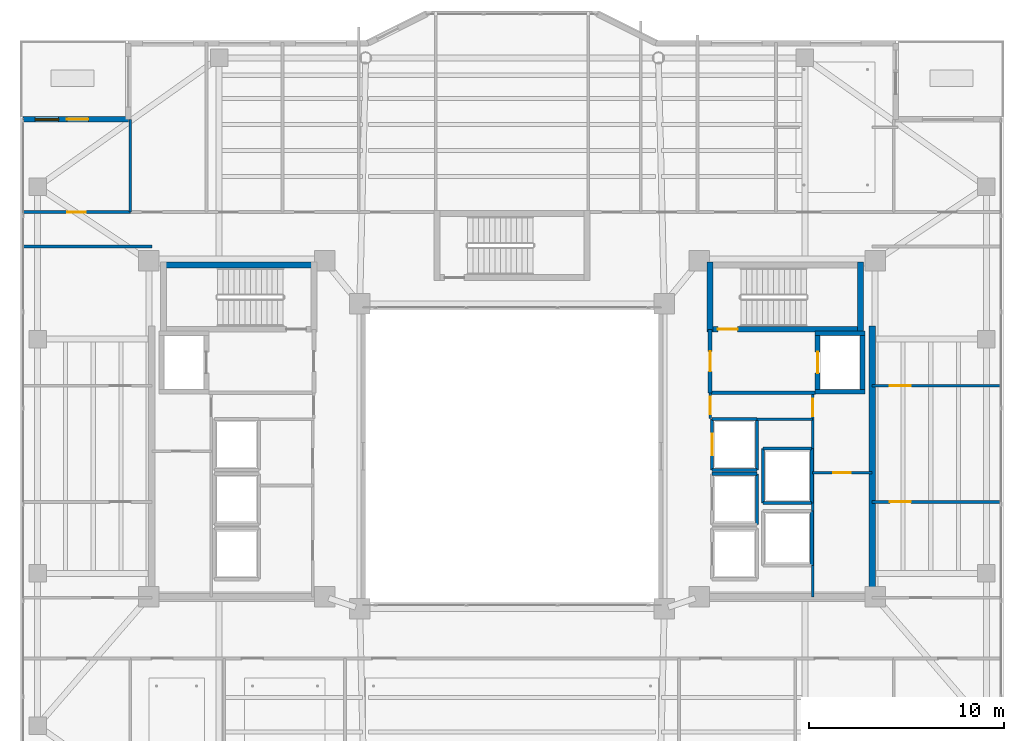
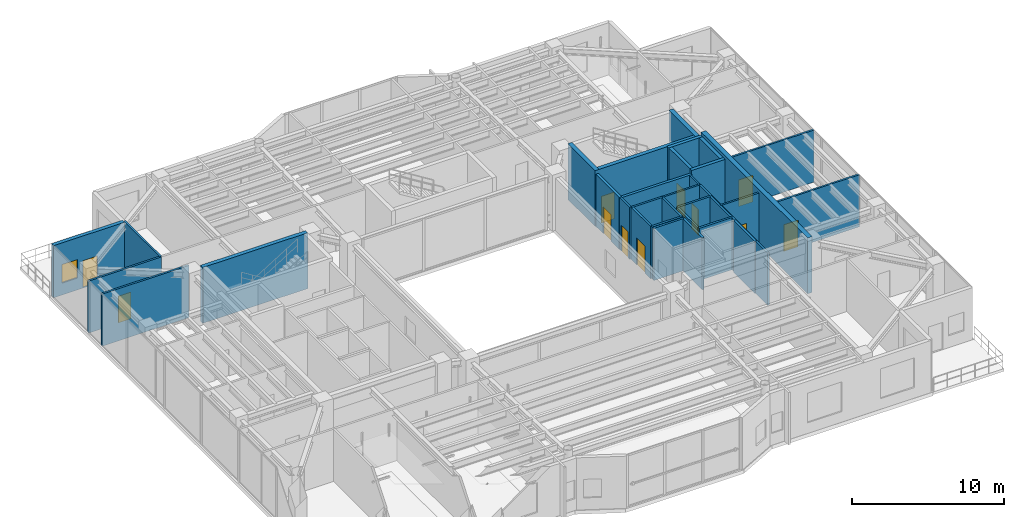
# One storey, part 25 of 33: 32 walls, 11 doors, 1 window, 12 openings.
"""IFC4 building model written with IfcOpenShell, lengths in metres."""

from ifc_helpers import new_model, si_unit, direction, frame, frame_2d, origin, place, context, subcontext, project, spatial, rectangle, extrude, material, layer, layer_set, type_object, element, fill, save


model = new_model("IFC4")

# Units and contexts
model_context = context("Model", 3, precision=1e-05, world=origin(), true_north=direction((0.0, 1.0)))
body_context = subcontext(model_context, "Body", "Model", "MODEL_VIEW")
ifc_project = project(units=[si_unit("LENGTHUNIT", "METRE"), si_unit("AREAUNIT", "SQUARE_METRE"), si_unit("VOLUMEUNIT", "CUBIC_METRE"), si_unit("PLANEANGLEUNIT", "RADIAN"), si_unit("MASSUNIT", "GRAM", prefix="KILO")], contexts=[model_context])

# Site, building, storey
site_placement = place(None, origin())
site = spatial("IfcSite", under=ifc_project, at=site_placement, CompositionType="ELEMENT")
building_placement = place(site_placement, origin())
building = spatial("IfcBuilding", under=site, at=building_placement, Name="Tarnavaz Court Tower", CompositionType="ELEMENT")
storey_placement = place(building_placement, frame((0.0, 0.0, 172.800048828125)))
storey = spatial("IfcBuildingStorey", under=building, at=storey_placement, Name="L47", CompositionType="ELEMENT", Elevation=172.800048828125)

# Wall, opening, door
ifc_material_1 = material(Name="Concrete C50/60", Category="concrete")
ifc_layer_1 = layer(ifc_material_1, 0.25)
ifc_layer_set_1 = layer_set([ifc_layer_1], Name="Concrete C50/60")
wall_type_1 = type_object("IfcWallType", Name="WL-CORE-250-C50", PredefinedType="SHEAR", material=ifc_layer_set_1)
wall_1_placement = place(storey_placement, frame((15.64990234375, 3.175048828125, 0.0), z_axis=(0.0, 0.0, 1.0), x_axis=(0.0, 1.0, 0.0)))
wall_1 = element("IfcWall", 1, at=wall_1_placement, inside=storey, type_object=wall_type_1, Name="L47 Lift FL-E1 Shaft Wall 033", PredefinedType="SHEAR", context=body_context, shape_type="SweptSolid", body=[
    extrude(rectangle(XDim=3.25, YDim=0.25, at=frame_2d((1.625, 0.0))), origin(), (0.0, 0.0, 1.0), 4.5),
])
opening_1_placement = place(wall_1_placement, frame((1.074951171875, 0.0, 0.0)))
opening_1 = element("IfcOpeningElement", 2, at=opening_1_placement, cuts=wall_1, Name="Opening LD1", PredefinedType="OPENING", context=body_context, shape_type="SweptSolid", body=[
    extrude(rectangle(XDim=1.10009765625, YDim=2.14990234375, at=frame_2d((0.550048828125, 1.074951171875))), frame((0.0, 0.135009765625, 0.0), z_axis=(0.0, -1.0, 0.0), x_axis=(1.0, 0.0, 0.0)), (0.0, 0.0, 1.0), 0.27001953125),
])
ifc_material_2 = material(Name="Stainless Steel", Category="steel")
door_type_1 = type_object("IfcDoorType", Name="DR-LD-1100", OperationType="NOTDEFINED", PredefinedType="DOOR", material=ifc_material_2)
door_1_placement = place(opening_1_placement, origin())
door_1 = element("IfcDoor", 3, at=door_1_placement, inside=storey, type_object=door_type_1, Name="L47 Lift Landing Door LD-FL-E1", OperationType="SLIDING_TO_LEFT", OverallHeight=2.14990234375, OverallWidth=1.10009765625, PredefinedType="DOOR", context=body_context, shape_type="SweptSolid", body=[
    extrude(rectangle(XDim=1.10009765625, YDim=2.14990234375, at=frame_2d((0.550048828125, 1.074951171875))), frame((0.0, 0.02490234375, 0.0), z_axis=(0.0, -1.0, 0.0), x_axis=(1.0, 0.0, 0.0)), (0.0, 0.0, 1.0), 0.050048828125),
])
fill(opening_1, door_1)

# Walls
wall_2_placement = place(storey_placement, frame((17.949951171875, 3.175048828125, 0.0), z_axis=(0.0, 0.0, 1.0), x_axis=(0.0, 1.0, 0.0)))
element("IfcWall", 4, at=wall_2_placement, inside=storey, type_object=wall_type_1, Name="L47 Lift FL-E1 Shaft Wall 034", PredefinedType="SHEAR", context=body_context, shape_type="SweptSolid", body=[
    extrude(rectangle(XDim=3.25, YDim=0.25, at=frame_2d((1.625, 0.0))), origin(), (0.0, 0.0, 1.0), 4.5),
])
for number, where, z_axis, x_axis, name in (
    (5, (15.52490234375, 3.300048828125, 0.0), (0.0, 0.0, 1.0), (1.0, 0.0, 0.0), "L47 Lift FL-E1 Shaft Wall 035"),
    (6, (15.52490234375, 6.300048828125, 0.0), (0.0, 0.0, 1.0), (1.0, 0.0, 0.0), "L47 Lift FL-E1 Shaft Wall 036"),
):
    element("IfcWall", number, at=place(storey_placement, frame(where, z_axis=z_axis, x_axis=x_axis)), inside=storey, type_object=wall_type_1, Name=name, PredefinedType="SHEAR", context=body_context, shape_type="SweptSolid", body=[
        extrude(rectangle(XDim=2.550048828125, YDim=0.25, at=frame_2d((1.27490234375, 0.0))), origin(), (0.0, 0.0, 1.0), 4.5),
    ])
ifc_layer_2 = layer(ifc_material_1, 0.300048828125)
ifc_layer_set_2 = layer_set([ifc_layer_2], Name="Concrete C50/60")
wall_type_2 = type_object("IfcWallType", Name="WL-CORE-300-C50", PredefinedType="SHEAR", material=ifc_layer_set_2)
wall_3_placement = place(storey_placement, frame((-18.0, 9.7900390625, 0.0), z_axis=(0.0, 0.0, 1.0), x_axis=(1.0, 0.0, 0.0)))
element("IfcWall", 7, at=wall_3_placement, inside=storey, type_object=wall_type_2, Name="L47 West Stair Core Wall 001", PredefinedType="SHEAR", context=body_context, shape_type="SweptSolid", body=[
    extrude(rectangle(XDim=8.0, YDim=0.300048828125, at=frame_2d((4.0, 0.0))), origin(), (0.0, 0.0, 1.0), 4.5),
])

# Wall, opening, door
wall_4_placement = place(storey_placement, frame((10.0, 6.5, 0.0), z_axis=(0.0, 0.0, 1.0), x_axis=(1.0, 0.0, 0.0)))
wall_4 = element("IfcWall", 8, at=wall_4_placement, inside=storey, type_object=wall_type_2, Name="L47 East Stair Core Wall 006", PredefinedType="SHEAR", context=body_context, shape_type="SweptSolid", body=[
    extrude(rectangle(XDim=8.0, YDim=0.300048828125, at=frame_2d((4.0, 0.0))), origin(), (0.0, 0.0, 1.0), 4.5),
])
opening_2_placement = place(wall_4_placement, frame((0.550048828125, 0.0, 0.0)))
opening_2 = element("IfcOpeningElement", 9, at=opening_2_placement, cuts=wall_4, Name="Opening D01", PredefinedType="OPENING", context=body_context, shape_type="SweptSolid", body=[
    extrude(rectangle(XDim=1.0, YDim=2.14990234375, at=frame_2d((0.5, 1.074951171875))), frame((0.0, 0.159912109375, 0.0), z_axis=(0.0, -1.0, 0.0), x_axis=(1.0, 0.0, 0.0)), (0.0, 0.0, 1.0), 0.320068359375),
])
ifc_material_3 = material(Name="Fire-Rated Hardwood Timber Core", Category="wood")
door_type_2 = type_object("IfcDoorType", Name="DR-FD90-1000", OperationType="NOTDEFINED", PredefinedType="DOOR", material=ifc_material_3)
door_2_placement = place(opening_2_placement, origin())
door_2 = element("IfcDoor", 10, at=door_2_placement, inside=storey, type_object=door_type_2, Name="L47 Stair ST-E1 Exit Door", OperationType="SINGLE_SWING_RIGHT", OverallHeight=2.14990234375, OverallWidth=1.0, PredefinedType="DOOR", context=body_context, shape_type="SweptSolid", body=[
    extrude(rectangle(XDim=1.0, YDim=2.14990234375, at=frame_2d((0.5, 1.074951171875))), frame((0.0, 0.02490234375, 0.0), z_axis=(0.0, -1.0, 0.0), x_axis=(1.0, 0.0, 0.0)), (0.0, 0.0, 1.0), 0.050048828125),
])
fill(opening_2, door_2)

# Walls
for number, where, z_axis, x_axis, name in (
    (11, (10.14990234375, 6.35009765625, 0.0), (0.0, 0.0, 1.0), (0.0, 1.0, 0.0), "L47 East Stair Core Wall 007"),
    (12, (17.85009765625, 6.35009765625, 0.0), (0.0, 0.0, 1.0), (0.0, 1.0, 0.0), "L47 East Stair Core Wall 008"),
):
    element("IfcWall", number, at=place(storey_placement, frame(where, z_axis=z_axis, x_axis=x_axis)), inside=storey, type_object=wall_type_2, Name=name, PredefinedType="SHEAR", context=body_context, shape_type="SweptSolid", body=[
        extrude(rectangle(XDim=3.58984375, YDim=0.300048828125, at=frame_2d((1.794921875, 0.0))), origin(), (0.0, 0.0, 1.0), 4.5),
    ])
ifc_layer_3 = layer(ifc_material_1, 0.35009765625)
ifc_layer_set_3 = layer_set([ifc_layer_3], Name="Concrete C50/60")
wall_type_3 = type_object("IfcWallType", Name="WL-CORE-350-C50", PredefinedType="SHEAR", material=ifc_layer_set_3)
wall_5_placement = place(storey_placement, frame((18.449951171875, -7.375, 0.0), z_axis=(0.0, 0.0, 1.0), x_axis=(0.0, 1.0, 0.0)))
element("IfcWall", 13, at=wall_5_placement, inside=storey, type_object=wall_type_3, Name="L47 East Core Shear Wall 059", PredefinedType="SHEAR", context=body_context, shape_type="SweptSolid", body=[
    extrude(rectangle(XDim=14.050048828125, YDim=0.35009765625, at=frame_2d((7.02490234375, 0.0))), origin(), (0.0, 0.0, 1.0), 4.5),
])

# Wall, openings, door, window
ifc_material_4 = material(Name="Precast Concrete C40/50", Category="concrete")
ifc_layer_4 = layer(ifc_material_4, 0.280029296875)
ifc_layer_set_4 = layer_set([ifc_layer_4], Name="Precast Concrete C40/50")
wall_type_4 = type_object("IfcWallType", Name="WL-EXT-280", PredefinedType="SOLIDWALL", material=ifc_layer_set_4)
wall_6_placement = place(storey_placement, frame((-25.050048828125, 17.25, 0.0), z_axis=(0.0, 0.0, 1.0), x_axis=(1.0, 0.0, 0.0)))
wall_6 = element("IfcWall", 14, at=wall_6_placement, inside=storey, type_object=wall_type_4, Name="L47 Exterior Terracotta Facade Wall 03", PredefinedType="SOLIDWALL", context=body_context, shape_type="SweptSolid", body=[
    extrude(rectangle(XDim=5.400146484375, YDim=0.280029296875, at=frame_2d((2.7001953125, 0.0))), origin(), (0.0, 0.0, 1.0), 4.199951171875),
])
opening_3_placement = place(wall_6_placement, frame((2.25, 0.0, 0.0)))
opening_3 = element("IfcOpeningElement", 15, at=opening_3_placement, cuts=wall_6, Name="Opening TD1", PredefinedType="OPENING", context=body_context, shape_type="SweptSolid", body=[
    extrude(rectangle(XDim=1.10009765625, YDim=2.199951171875, at=frame_2d((0.550048828125, 1.10009765625))), frame((0.0, 0.14990234375, 0.0), z_axis=(0.0, -1.0, 0.0), x_axis=(1.0, 0.0, 0.0)), (0.0, 0.0, 1.0), 0.300048828125),
])
opening_4_placement = place(wall_6_placement, frame((0.6298828125, 0.0, 0.949951171875)))
opening_4 = element("IfcOpeningElement", 16, at=opening_4_placement, cuts=wall_6, Name="Opening W05", PredefinedType="OPENING", context=body_context, shape_type="SweptSolid", body=[
    extrude(rectangle(XDim=1.199951171875, YDim=1.5, at=frame_2d((0.60009765625, 0.75))), frame((0.0, 0.14990234375, 0.0), z_axis=(0.0, -1.0, 0.0), x_axis=(1.0, 0.0, 0.0)), (0.0, 0.0, 1.0), 0.300048828125),
])
ifc_material_5 = material(Name="Thermally Broken Aluminium and Laminated Glass", Category="aluminium")
door_type_3 = type_object("IfcDoorType", Name="DR-TERR-1100", OperationType="NOTDEFINED", PredefinedType="DOOR", material=ifc_material_5)
door_3_placement = place(opening_3_placement, origin())
door_3 = element("IfcDoor", 17, at=door_3_placement, inside=storey, type_object=door_type_3, Name="L47 Sky Terrace Access Door 2", OperationType="SINGLE_SWING_RIGHT", OverallHeight=2.199951171875, OverallWidth=1.10009765625, PredefinedType="DOOR", context=body_context, shape_type="SweptSolid", body=[
    extrude(rectangle(XDim=1.10009765625, YDim=2.199951171875, at=frame_2d((0.550048828125, 1.10009765625))), frame((0.0, 0.02490234375, 0.0), z_axis=(0.0, -1.0, 0.0), x_axis=(1.0, 0.0, 0.0)), (0.0, 0.0, 1.0), 0.050048828125),
])
fill(opening_3, door_3)
ifc_material_6 = material(Name="Double-Glazed Solar Low-E Glass", Category="glass")
window_type = type_object("IfcWindowType", Name="WN-APT-1200", PartitioningType="SINGLE_PANEL", PredefinedType="WINDOW", material=ifc_material_6)
window_placement = place(opening_4_placement, origin())
window = element("IfcWindow", 18, at=window_placement, inside=storey, type_object=window_type, Name="L47 L47 NW Terrace Salon Window", OverallHeight=1.5, OverallWidth=1.199951171875, PartitioningType="SINGLE_PANEL", PredefinedType="WINDOW", context=body_context, shape_type="SweptSolid", body=[
    extrude(rectangle(XDim=1.199951171875, YDim=1.5, at=frame_2d((0.60009765625, 0.75))), frame((0.0, 0.030029296875, 0.0), z_axis=(0.0, -1.0, 0.0), x_axis=(1.0, 0.0, 0.0)), (0.0, 0.0, 1.0), 0.06005859375),
])
fill(opening_4, window)

# Wall
ifc_material_7 = material(Name="Gypsum Fire-Board on Acoustic Metal Stud", Category="masonry")
ifc_layer_5 = layer(ifc_material_7, 0.14990234375)
ifc_layer_set_5 = layer_set([ifc_layer_5], Name="Gypsum Fire-Board on Acoustic Metal Stud")
wall_type_5 = type_object("IfcWallType", Name="WL-FIRE-150", PredefinedType="PARTITIONING", material=ifc_layer_set_5)
wall_7_placement = place(storey_placement, frame((-25.080078125, 10.75, 0.0), z_axis=(0.0, 0.0, 1.0), x_axis=(1.0, 0.0, 0.0)))
element("IfcWall", 19, at=wall_7_placement, inside=storey, type_object=wall_type_5, Name="L47 Interior Partition 090", PredefinedType="PARTITIONING", context=body_context, shape_type="SweptSolid", body=[
    extrude(rectangle(XDim=6.630126953125, YDim=0.14990234375, at=frame_2d((3.31494140625, 0.0))), origin(), (0.0, 0.0, 1.0), 4.199951171875),
])

# Wall, opening, door
wall_8_placement = place(storey_placement, frame((-25.080078125, 12.5, 0.0), z_axis=(0.0, 0.0, 1.0), x_axis=(1.0, 0.0, 0.0)))
wall_8 = element("IfcWall", 20, at=wall_8_placement, inside=storey, type_object=wall_type_5, Name="L47 Interior Partition 096", PredefinedType="PARTITIONING", context=body_context, shape_type="SweptSolid", body=[
    extrude(rectangle(XDim=5.530029296875, YDim=0.14990234375, at=frame_2d((2.76513671875, 0.0))), origin(), (0.0, 0.0, 1.0), 4.199951171875),
])
opening_5_placement = place(wall_8_placement, frame((2.2900390625, 0.0, 0.0)))
opening_5 = element("IfcOpeningElement", 21, at=opening_5_placement, cuts=wall_8, Name="Opening D13", PredefinedType="OPENING", context=body_context, shape_type="SweptSolid", body=[
    extrude(rectangle(XDim=0.949951171875, YDim=2.14990234375, at=frame_2d((0.47509765625, 1.074951171875))), frame((0.0, 0.0849609375, 0.0), z_axis=(0.0, -1.0, 0.0), x_axis=(1.0, 0.0, 0.0)), (0.0, 0.0, 1.0), 0.169921875),
])
ifc_material_8 = material(Name="Engineered Oak Timber", Category="wood")
door_type_4 = type_object("IfcDoorType", Name="DR-INT-950", OperationType="NOTDEFINED", PredefinedType="DOOR", material=ifc_material_8)
door_4_placement = place(opening_5_placement, origin())
door_4 = element("IfcDoor", 22, at=door_4_placement, inside=storey, type_object=door_type_4, Name="L47 NW Terrace Salon Door", OperationType="SINGLE_SWING_RIGHT", OverallHeight=2.14990234375, OverallWidth=0.949951171875, PredefinedType="DOOR", context=body_context, shape_type="SweptSolid", body=[
    extrude(rectangle(XDim=0.949951171875, YDim=2.14990234375, at=frame_2d((0.47509765625, 1.074951171875))), frame((0.0, 0.02490234375, 0.0), z_axis=(0.0, -1.0, 0.0), x_axis=(1.0, 0.0, 0.0)), (0.0, 0.0, 1.0), 0.050048828125),
])
fill(opening_5, door_4)

# Wall
ifc_material_9 = material(Name="Autoclaved Aerated Concrete Blockwork", Category="masonry")
ifc_layer_6 = layer(ifc_material_9, 0.199951171875)
ifc_layer_set_6 = layer_set([ifc_layer_6], Name="Autoclaved Aerated Concrete Blockwork")
wall_type_6 = type_object("IfcWallType", Name="WL-FIRE-200", PredefinedType="SOLIDWALL", material=ifc_layer_set_6)
wall_9_placement = place(storey_placement, frame((10.14990234375, 3.25, 0.0), z_axis=(0.0, 0.0, 1.0), x_axis=(1.0, 0.0, 0.0)))
element("IfcWall", 23, at=wall_9_placement, inside=storey, type_object=wall_type_6, Name="L47 East Firefighting Lobby Wall 015", PredefinedType="SOLIDWALL", context=body_context, shape_type="SweptSolid", body=[
    extrude(rectangle(XDim=5.400146484375, YDim=0.199951171875, at=frame_2d((2.7001953125, 0.0))), origin(), (0.0, 0.0, 1.0), 4.199951171875),
])

# Wall, opening, door
wall_10_placement = place(storey_placement, frame((10.14990234375, 3.25, 0.0), z_axis=(0.0, 0.0, 1.0), x_axis=(0.0, 1.0, 0.0)))
wall_10 = element("IfcWall", 24, at=wall_10_placement, inside=storey, type_object=wall_type_6, Name="L47 East Firefighting Lobby Wall 016", PredefinedType="SOLIDWALL", context=body_context, shape_type="SweptSolid", body=[
    extrude(rectangle(XDim=3.25, YDim=0.199951171875, at=frame_2d((1.625, 0.0))), origin(), (0.0, 0.0, 1.0), 4.199951171875),
])
opening_6_placement = place(wall_10_placement, frame((1.10009765625, 0.0, 0.0)))
opening_6 = element("IfcOpeningElement", 25, at=opening_6_placement, cuts=wall_10, Name="Opening D05", PredefinedType="OPENING", context=body_context, shape_type="SweptSolid", body=[
    extrude(rectangle(XDim=1.02001953125, YDim=2.14990234375, at=frame_2d((0.510009765625, 1.074951171875))), frame((0.0, 0.10986328125, 0.0), z_axis=(0.0, -1.0, 0.0), x_axis=(1.0, 0.0, 0.0)), (0.0, 0.0, 1.0), 0.219970703125),
])
door_type_5 = type_object("IfcDoorType", Name="DR-FD60-1000", OperationType="NOTDEFINED", PredefinedType="DOOR", material=ifc_material_3)
door_5_placement = place(opening_6_placement, origin())
door_5 = element("IfcDoor", 26, at=door_5_placement, inside=storey, type_object=door_type_5, Name="L47 East Firefighting Lobby Door", OperationType="SINGLE_SWING_LEFT", OverallHeight=2.14990234375, OverallWidth=1.02001953125, PredefinedType="DOOR", context=body_context, shape_type="SweptSolid", body=[
    extrude(rectangle(XDim=1.02001953125, YDim=2.14990234375, at=frame_2d((0.510009765625, 1.074951171875))), frame((0.0, 0.02490234375, 0.0), z_axis=(0.0, -1.0, 0.0), x_axis=(1.0, 0.0, 0.0)), (0.0, 0.0, 1.0), 0.050048828125),
])
fill(opening_6, door_5)

# Wall
ifc_material_10 = material(Name="Gypsum Plasterboard Acoustic Partition", Category="masonry")
ifc_layer_7 = layer(ifc_material_10, 0.139892578125)
ifc_layer_set_7 = layer_set([ifc_layer_7], Name="Gypsum Plasterboard Acoustic Partition")
wall_type_7 = type_object("IfcWallType", Name="WL-PART-150", PredefinedType="PARTITIONING", material=ifc_layer_set_7)
wall_11_placement = place(storey_placement, frame((12.550048828125, 1.89990234375, 0.0), z_axis=(0.0, 0.0, 1.0), x_axis=(1.0, 0.0, 0.0)))
element("IfcWall", 27, at=wall_11_placement, inside=storey, type_object=wall_type_7, Name="L47 Interior Partition 067", PredefinedType="PARTITIONING", context=body_context, shape_type="SweptSolid", body=[
    extrude(rectangle(XDim=2.849853515625, YDim=0.139892578125, at=frame_2d((1.4248046875, 0.0))), origin(), (0.0, 0.0, 1.0), 4.199951171875),
])

# Wall, opening, door
wall_12_placement = place(storey_placement, frame((10.14990234375, 1.919921875, 0.0), z_axis=(0.0, 0.0, 1.0), x_axis=(0.0, 1.0, 0.0)))
wall_12 = element("IfcWall", 28, at=wall_12_placement, inside=storey, type_object=wall_type_7, Name="L47 Interior Partition 068", PredefinedType="PARTITIONING", context=body_context, shape_type="SweptSolid", body=[
    extrude(rectangle(XDim=1.330078125, YDim=0.139892578125, at=frame_2d((0.6650390625, 0.0))), origin(), (0.0, 0.0, 1.0), 4.199951171875),
])
opening_7_placement = place(wall_12_placement, frame((0.219970703125, 0.0, 0.0)))
opening_7 = element("IfcOpeningElement", 29, at=opening_7_placement, cuts=wall_12, Name="Opening D09", PredefinedType="OPENING", context=body_context, shape_type="SweptSolid", body=[
    extrude(rectangle(XDim=0.89990234375, YDim=2.080078125, at=frame_2d((0.449951171875, 1.0400390625))), frame((0.0, 0.079833984375, 0.0), z_axis=(0.0, -1.0, 0.0), x_axis=(1.0, 0.0, 0.0)), (0.0, 0.0, 1.0), 0.159912109375),
])
door_type_6 = type_object("IfcDoorType", Name="DR-FD30-900", OperationType="NOTDEFINED", PredefinedType="DOOR", material=ifc_material_3)
door_6_placement = place(opening_7_placement, origin())
door_6 = element("IfcDoor", 30, at=door_6_placement, inside=storey, type_object=door_type_6, Name="L47 East Core Service Lobby Door", OperationType="SINGLE_SWING_RIGHT", OverallHeight=2.080078125, OverallWidth=0.89990234375, PredefinedType="DOOR", context=body_context, shape_type="SweptSolid", body=[
    extrude(rectangle(XDim=0.89990234375, YDim=2.080078125, at=frame_2d((0.449951171875, 1.0400390625))), frame((0.0, 0.02490234375, 0.0), z_axis=(0.0, -1.0, 0.0), x_axis=(1.0, 0.0, 0.0)), (0.0, 0.0, 1.0), 0.050048828125),
])
fill(opening_7, door_6)

wall_13_placement = place(storey_placement, frame((15.39990234375, -7.199951171875, 0.0), z_axis=(0.0, 0.0, 1.0), x_axis=(0.0, 1.0, 0.0)))
wall_13 = element("IfcWall", 31, at=wall_13_placement, inside=storey, type_object=wall_type_7, Name="L47 Interior Partition 069", PredefinedType="PARTITIONING", context=body_context, shape_type="SweptSolid", body=[
    extrude(rectangle(XDim=10.449951171875, YDim=0.139892578125, at=frame_2d((5.22509765625, 0.0))), origin(), (0.0, 0.0, 1.0), 4.199951171875),
])
opening_8_placement = place(wall_13_placement, frame((9.25, 0.0, 0.0)))
opening_8 = element("IfcOpeningElement", 32, at=opening_8_placement, cuts=wall_13, Name="Opening D09", PredefinedType="OPENING", context=body_context, shape_type="SweptSolid", body=[
    extrude(rectangle(XDim=0.89990234375, YDim=2.080078125, at=frame_2d((0.449951171875, 1.0400390625))), frame((0.0, 0.079833984375, 0.0), z_axis=(0.0, -1.0, 0.0), x_axis=(1.0, 0.0, 0.0)), (0.0, 0.0, 1.0), 0.159912109375),
])
door_7_placement = place(opening_8_placement, origin())
door_7 = element("IfcDoor", 33, at=door_7_placement, inside=storey, type_object=door_type_6, Name="L47 East Wet Riser Door", OperationType="SINGLE_SWING_LEFT", OverallHeight=2.080078125, OverallWidth=0.89990234375, PredefinedType="DOOR", context=body_context, shape_type="SweptSolid", body=[
    extrude(rectangle(XDim=0.89990234375, YDim=2.080078125, at=frame_2d((0.449951171875, 1.0400390625))), frame((0.0, 0.02490234375, 0.0), z_axis=(0.0, -1.0, 0.0), x_axis=(1.0, 0.0, 0.0)), (0.0, 0.0, 1.0), 0.050048828125),
])
fill(opening_8, door_7)

wall_14_placement = place(storey_placement, frame((15.39990234375, -0.85009765625, 0.0), z_axis=(0.0, 0.0, 1.0), x_axis=(1.0, 0.0, 0.0)))
wall_14 = element("IfcWall", 34, at=wall_14_placement, inside=storey, type_object=wall_type_7, Name="L47 Interior Partition 070", PredefinedType="PARTITIONING", context=body_context, shape_type="SweptSolid", body=[
    extrude(rectangle(XDim=3.050048828125, YDim=0.139892578125, at=frame_2d((1.52490234375, 0.0))), origin(), (0.0, 0.0, 1.0), 4.199951171875),
])
opening_9_placement = place(wall_14_placement, frame((1.050048828125, 0.0, 0.0)))
opening_9 = element("IfcOpeningElement", 35, at=opening_9_placement, cuts=wall_14, Name="Opening D09", PredefinedType="OPENING", context=body_context, shape_type="SweptSolid", body=[
    extrude(rectangle(XDim=0.89990234375, YDim=2.080078125, at=frame_2d((0.449951171875, 1.0400390625))), frame((0.0, 0.079833984375, 0.0), z_axis=(0.0, -1.0, 0.0), x_axis=(1.0, 0.0, 0.0)), (0.0, 0.0, 1.0), 0.159912109375),
])
door_8_placement = place(opening_9_placement, origin())
door_8 = element("IfcDoor", 36, at=door_8_placement, inside=storey, type_object=door_type_6, Name="L47 East Electrical Plant Door", OperationType="SINGLE_SWING_RIGHT", OverallHeight=2.080078125, OverallWidth=0.89990234375, PredefinedType="DOOR", context=body_context, shape_type="SweptSolid", body=[
    extrude(rectangle(XDim=0.89990234375, YDim=2.080078125, at=frame_2d((0.449951171875, 1.0400390625))), frame((0.0, 0.02490234375, 0.0), z_axis=(0.0, -1.0, 0.0), x_axis=(1.0, 0.0, 0.0)), (0.0, 0.0, 1.0), 0.050048828125),
])
fill(opening_9, door_8)

# Wall
wall_15_placement = place(storey_placement, frame((-19.550048828125, 12.5, 0.0), z_axis=(0.0, 0.0, 1.0), x_axis=(0.0, 1.0, 0.0)))
element("IfcWall", 37, at=wall_15_placement, inside=storey, type_object=wall_type_7, Name="L47 Interior Partition 094", PredefinedType="PARTITIONING", context=body_context, shape_type="SweptSolid", body=[
    extrude(rectangle(XDim=4.75, YDim=0.139892578125, at=frame_2d((2.375, 0.0))), origin(), (0.0, 0.0, 1.0), 4.199951171875),
])

# Wall, opening, door
wall_16_placement = place(storey_placement, frame((18.449951171875, -2.340087890625, 0.0), z_axis=(0.0, 0.0, 1.0), x_axis=(1.0, 0.0, 0.0)))
wall_16 = element("IfcWall", 38, at=wall_16_placement, inside=storey, type_object=wall_type_7, Name="L47 Interior Partition 102", PredefinedType="PARTITIONING", context=body_context, shape_type="SweptSolid", body=[
    extrude(rectangle(XDim=6.630126953125, YDim=0.139892578125, at=frame_2d((3.31494140625, 0.0))), origin(), (0.0, 0.0, 1.0), 4.199951171875),
])
opening_10_placement = place(wall_16_placement, frame((0.89990234375, 0.0, 0.0)))
opening_10 = element("IfcOpeningElement", 39, at=opening_10_placement, cuts=wall_16, Name="Opening D12", PredefinedType="OPENING", context=body_context, shape_type="SweptSolid", body=[
    extrude(rectangle(XDim=1.080078125, YDim=2.14990234375, at=frame_2d((0.5400390625, 1.074951171875))), frame((0.0, 0.079833984375, 0.0), z_axis=(0.0, -1.0, 0.0), x_axis=(1.0, 0.0, 0.0)), (0.0, 0.0, 1.0), 0.159912109375),
])
door_type_7 = type_object("IfcDoorType", Name="DR-INT-1100", OperationType="NOTDEFINED", PredefinedType="DOOR", material=ifc_material_8)
door_9_placement = place(opening_10_placement, origin())
door_9 = element("IfcDoor", 40, at=door_9_placement, inside=storey, type_object=door_type_7, Name="L47 East Suite Room 2 Door", OperationType="SINGLE_SWING_RIGHT", OverallHeight=2.14990234375, OverallWidth=1.080078125, PredefinedType="DOOR", context=body_context, shape_type="SweptSolid", body=[
    extrude(rectangle(XDim=1.080078125, YDim=2.14990234375, at=frame_2d((0.5400390625, 1.074951171875))), frame((0.0, 0.02490234375, 0.0), z_axis=(0.0, -1.0, 0.0), x_axis=(1.0, 0.0, 0.0)), (0.0, 0.0, 1.0), 0.050048828125),
])
fill(opening_10, door_9)

wall_17_placement = place(storey_placement, frame((18.449951171875, 3.613037109375, 0.0), z_axis=(0.0, 0.0, 1.0), x_axis=(1.0, 0.0, 0.0)))
wall_17 = element("IfcWall", 41, at=wall_17_placement, inside=storey, type_object=wall_type_7, Name="L47 Interior Partition 103", PredefinedType="PARTITIONING", context=body_context, shape_type="SweptSolid", body=[
    extrude(rectangle(XDim=6.630126953125, YDim=0.139892578125, at=frame_2d((3.31494140625, 0.0))), origin(), (0.0, 0.0, 1.0), 4.199951171875),
])
opening_11_placement = place(wall_17_placement, frame((0.89990234375, 0.0, 0.0)))
opening_11 = element("IfcOpeningElement", 42, at=opening_11_placement, cuts=wall_17, Name="Opening D12", PredefinedType="OPENING", context=body_context, shape_type="SweptSolid", body=[
    extrude(rectangle(XDim=1.080078125, YDim=2.14990234375, at=frame_2d((0.5400390625, 1.074951171875))), frame((0.0, 0.079833984375, 0.0), z_axis=(0.0, -1.0, 0.0), x_axis=(1.0, 0.0, 0.0)), (0.0, 0.0, 1.0), 0.159912109375),
])
door_10_placement = place(opening_11_placement, origin())
door_10 = element("IfcDoor", 43, at=door_10_placement, inside=storey, type_object=door_type_7, Name="L47 East Suite Room 3 Door", OperationType="SINGLE_SWING_LEFT", OverallHeight=2.14990234375, OverallWidth=1.080078125, PredefinedType="DOOR", context=body_context, shape_type="SweptSolid", body=[
    extrude(rectangle(XDim=1.080078125, YDim=2.14990234375, at=frame_2d((0.5400390625, 1.074951171875))), frame((0.0, 0.02490234375, 0.0), z_axis=(0.0, -1.0, 0.0), x_axis=(1.0, 0.0, 0.0)), (0.0, 0.0, 1.0), 0.050048828125),
])
fill(opening_11, door_10)

# Walls
ifc_layer_8 = layer(ifc_material_9, 0.159912109375)
ifc_layer_set_8 = layer_set([ifc_layer_8], Name="Autoclaved Aerated Concrete Blockwork")
wall_type_8 = type_object("IfcWallType", Name="WL-SHAFT-150", PredefinedType="SOLIDWALL", material=ifc_layer_set_8)
wall_18_placement = place(storey_placement, frame((12.550048828125, -3.5, 0.0), z_axis=(0.0, 0.0, 1.0), x_axis=(0.0, 1.0, 0.0)))
element("IfcWall", 44, at=wall_18_placement, inside=storey, type_object=wall_type_8, Name="L47 Lift PL-M2 Shaft Wall 042", PredefinedType="SOLIDWALL", context=body_context, shape_type="SweptSolid", body=[
    extrude(rectangle(XDim=2.60009765625, YDim=0.159912109375, at=frame_2d((1.300048828125, 0.0))), origin(), (0.0, 0.0, 1.0), 4.199951171875),
])
wall_19_placement = place(storey_placement, frame((10.25, -0.89990234375, 0.0), z_axis=(0.0, 0.0, 1.0), x_axis=(1.0, 0.0, 0.0)))
element("IfcWall", 45, at=wall_19_placement, inside=storey, type_object=wall_type_8, Name="L47 Lift PL-M2 Shaft Wall 044", PredefinedType="SOLIDWALL", context=body_context, shape_type="SweptSolid", body=[
    extrude(rectangle(XDim=2.300048828125, YDim=0.159912109375, at=frame_2d((1.14990234375, 0.0))), origin(), (0.0, 0.0, 1.0), 4.199951171875),
])

# Wall, opening, door
wall_20_placement = place(storey_placement, frame((10.25, -0.699951171875, 0.0), z_axis=(0.0, 0.0, 1.0), x_axis=(0.0, 1.0, 0.0)))
wall_20 = element("IfcWall", 46, at=wall_20_placement, inside=storey, type_object=wall_type_8, Name="L47 Lift PL-M3 Shaft Wall 045", PredefinedType="SOLIDWALL", context=body_context, shape_type="SweptSolid", body=[
    extrude(rectangle(XDim=2.599853515625, YDim=0.159912109375, at=frame_2d((1.2998046875, 0.0))), origin(), (0.0, 0.0, 1.0), 4.199951171875),
])
opening_12_placement = place(wall_20_placement, frame((0.75, 0.0, 0.0)))
opening_12 = element("IfcOpeningElement", 47, at=opening_12_placement, cuts=wall_20, Name="Opening LD1", PredefinedType="OPENING", context=body_context, shape_type="SweptSolid", body=[
    extrude(rectangle(XDim=1.10009765625, YDim=2.14990234375, at=frame_2d((0.550048828125, 1.074951171875))), frame((0.0, 0.08984375, 0.0), z_axis=(0.0, -1.0, 0.0), x_axis=(1.0, 0.0, 0.0)), (0.0, 0.0, 1.0), 0.179931640625),
])
door_11_placement = place(opening_12_placement, origin())
door_11 = element("IfcDoor", 48, at=door_11_placement, inside=storey, type_object=door_type_1, Name="L47 Lift Landing Door LD-PL-M3", OperationType="SLIDING_TO_LEFT", OverallHeight=2.14990234375, OverallWidth=1.10009765625, PredefinedType="DOOR", context=body_context, shape_type="SweptSolid", body=[
    extrude(rectangle(XDim=1.10009765625, YDim=2.14990234375, at=frame_2d((0.550048828125, 1.074951171875))), frame((0.0, 0.02490234375, 0.0), z_axis=(0.0, -1.0, 0.0), x_axis=(1.0, 0.0, 0.0)), (0.0, 0.0, 1.0), 0.050048828125),
])
fill(opening_12, door_11)

# Walls
wall_21_placement = place(storey_placement, frame((12.550048828125, -0.699951171875, 0.0), z_axis=(0.0, 0.0, 1.0), x_axis=(0.0, 1.0, 0.0)))
element("IfcWall", 49, at=wall_21_placement, inside=storey, type_object=wall_type_8, Name="L47 Lift PL-M3 Shaft Wall 046", PredefinedType="SOLIDWALL", context=body_context, shape_type="SweptSolid", body=[
    extrude(rectangle(XDim=2.599853515625, YDim=0.159912109375, at=frame_2d((1.2998046875, 0.0))), origin(), (0.0, 0.0, 1.0), 4.199951171875),
])
for number, where, z_axis, x_axis, name in (
    (50, (10.25, -0.699951171875, 0.0), (0.0, 0.0, 1.0), (1.0, 0.0, 0.0), "L47 Lift PL-M3 Shaft Wall 047"),
    (51, (10.25, 1.89990234375, 0.0), (0.0, 0.0, 1.0), (1.0, 0.0, 0.0), "L47 Lift PL-M3 Shaft Wall 048"),
):
    element("IfcWall", number, at=place(storey_placement, frame(where, z_axis=z_axis, x_axis=x_axis)), inside=storey, type_object=wall_type_8, Name=name, PredefinedType="SOLIDWALL", context=body_context, shape_type="SweptSolid", body=[
        extrude(rectangle(XDim=2.300048828125, YDim=0.159912109375, at=frame_2d((1.14990234375, 0.0))), origin(), (0.0, 0.0, 1.0), 4.199951171875),
    ])
wall_22_placement = place(storey_placement, frame((15.35009765625, -5.60009765625, 0.0), z_axis=(0.0, 0.0, 1.0), x_axis=(0.0, 1.0, 0.0)))
element("IfcWall", 52, at=wall_22_placement, inside=storey, type_object=wall_type_8, Name="L47 Lift PL-OB1 Shaft Wall 050", PredefinedType="SOLIDWALL", context=body_context, shape_type="SweptSolid", body=[
    extrude(rectangle(XDim=2.800048828125, YDim=0.159912109375, at=frame_2d((1.39990234375, 0.0))), origin(), (0.0, 0.0, 1.0), 4.199951171875),
])
for number, where, z_axis, x_axis, name in (
    (53, (12.85009765625, -2.39990234375, 0.0), (0.0, 0.0, 1.0), (0.0, 1.0, 0.0), "L47 Lift PL-OB2 Shaft Wall 053"),
    (54, (15.35009765625, -2.39990234375, 0.0), (0.0, 0.0, 1.0), (0.0, 1.0, 0.0), "L47 Lift PL-OB2 Shaft Wall 054"),
):
    element("IfcWall", number, at=place(storey_placement, frame(where, z_axis=z_axis, x_axis=x_axis)), inside=storey, type_object=wall_type_8, Name=name, PredefinedType="SOLIDWALL", context=body_context, shape_type="SweptSolid", body=[
        extrude(rectangle(XDim=2.7998046875, YDim=0.159912109375, at=frame_2d((1.39990234375, 0.0))), origin(), (0.0, 0.0, 1.0), 4.199951171875),
    ])
for number, where, z_axis, x_axis, name in (
    (55, (12.85009765625, -2.39990234375, 0.0), (0.0, 0.0, 1.0), (1.0, 0.0, 0.0), "L47 Lift PL-OB2 Shaft Wall 055"),
    (56, (12.85009765625, 0.39990234375, 0.0), (0.0, 0.0, 1.0), (1.0, 0.0, 0.0), "L47 Lift PL-OB2 Shaft Wall 056"),
):
    element("IfcWall", number, at=place(storey_placement, frame(where, z_axis=z_axis, x_axis=x_axis)), inside=storey, type_object=wall_type_8, Name=name, PredefinedType="SOLIDWALL", context=body_context, shape_type="SweptSolid", body=[
        extrude(rectangle(XDim=2.5, YDim=0.159912109375, at=frame_2d((1.25, 0.0))), origin(), (0.0, 0.0, 1.0), 4.199951171875),
    ])

save(model, "model.ifc")
